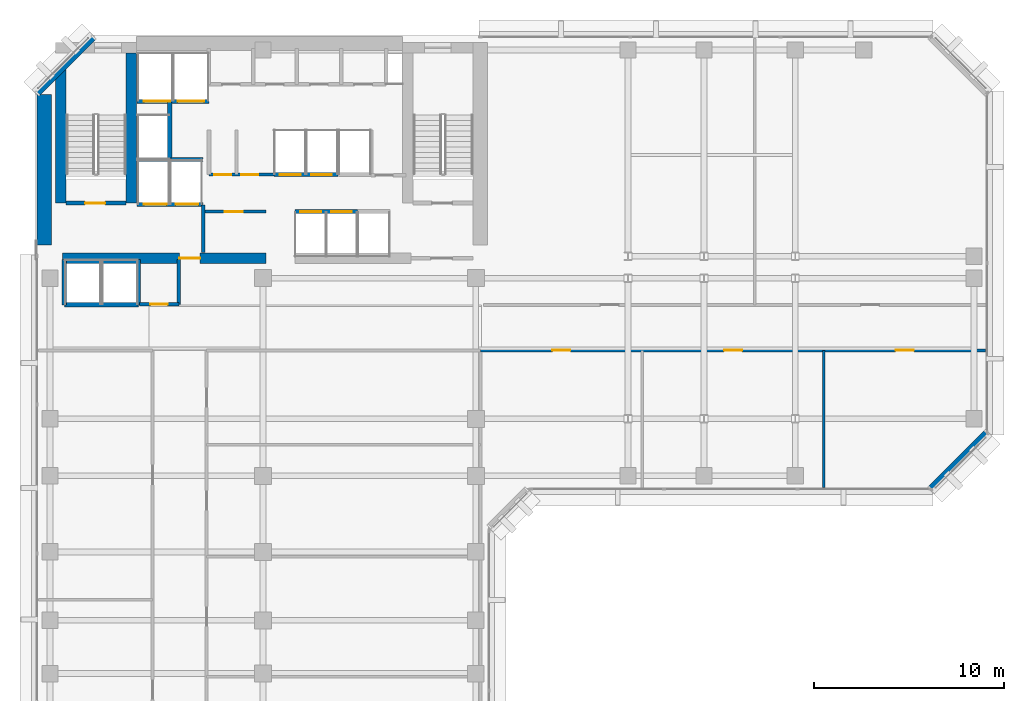
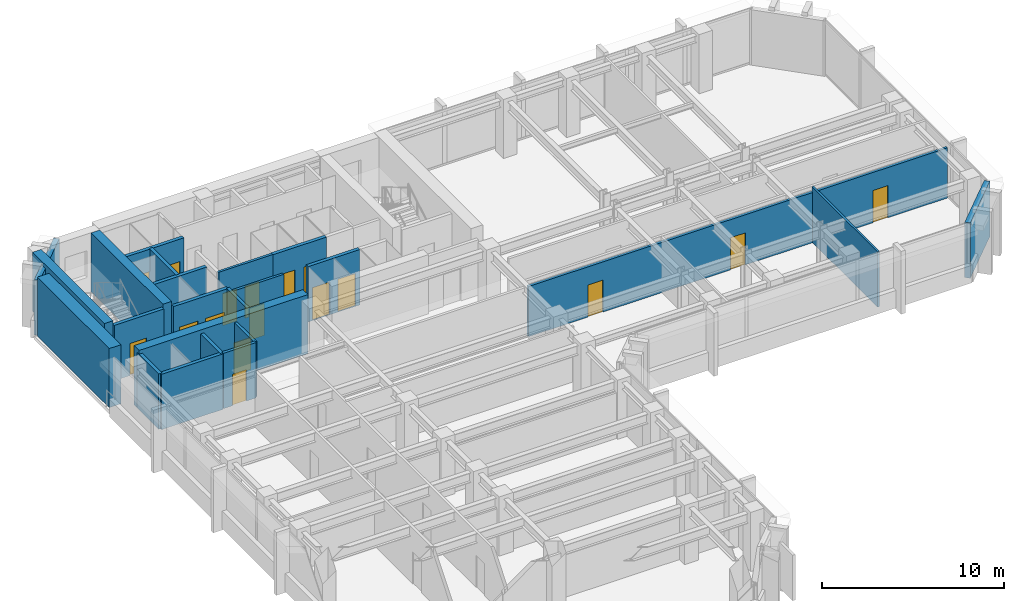
# One storey, part 7 of 11: 23 walls, 17 doors, 17 openings.
"""IFC4 building model written with IfcOpenShell, lengths in metres."""

from ifc_helpers import new_model, si_unit, direction, frame, frame_2d, origin, place, context, subcontext, project, spatial, rectangle, extrude, material, layer, layer_set, type_object, element, fill, save


model = new_model("IFC4")

# Units and contexts
model_context = context("Model", 3, precision=1e-05, world=origin(), true_north=direction((0.0, 1.0)))
body_context = subcontext(model_context, "Body", "Model", "MODEL_VIEW")
ifc_project = project(units=[si_unit("LENGTHUNIT", "METRE"), si_unit("AREAUNIT", "SQUARE_METRE"), si_unit("VOLUMEUNIT", "CUBIC_METRE"), si_unit("PLANEANGLEUNIT", "RADIAN"), si_unit("MASSUNIT", "GRAM", prefix="KILO")], contexts=[model_context])

# Site, building, storey
site_placement = place(None, origin())
site = spatial("IfcSite", under=ifc_project, at=site_placement, CompositionType="ELEMENT")
building_placement = place(site_placement, origin())
building = spatial("IfcBuilding", under=site, at=building_placement, Name="Kefirva Bronze Tower", CompositionType="ELEMENT")
storey_placement = place(building_placement, frame((0.0, 0.0, 150.81005859375)))
storey = spatial("IfcBuildingStorey", under=building, at=storey_placement, Name="L36", CompositionType="ELEMENT", Elevation=150.81005859375)

# Wall
ifc_material_1 = material(Name="Gypsum acoustic partition")
ifc_layer_1 = layer(ifc_material_1, 0.1298828125, Name="Gypsum acoustic partition")
ifc_layer_set_1 = layer_set([ifc_layer_1], Name="Gypsum acoustic partition")
wall_type_1 = type_object("IfcWallType", Name="Acoustic Office Partition 130mm", PredefinedType="PARTITIONING", material=ifc_layer_set_1)
wall_1_placement = place(storey_placement, frame((41.5107421875, 22.18994140625, 0.0), z_axis=(0.0, 0.0, 1.0), x_axis=(0.0, 1.0, 0.0)))
element("IfcWall", 1, at=wall_1_placement, inside=storey, type_object=wall_type_1, Name="L36 Partition W-L36-ESD2", PredefinedType="PARTITIONING", context=body_context, shape_type="SweptSolid", body=[
    extrude(rectangle(XDim=7.2099609375, YDim=0.1298828125, at=frame_2d((3.60498046875, 0.0))), origin(), (0.0, 0.0, 1.0), 3.7099609375),
])

# Wall, opening, door
ifc_material_2 = material(Name="Gypsum fireboard shaftwall")
ifc_layer_2 = layer(ifc_material_2, 0.219970703125, Name="Gypsum fireboard shaftwall")
ifc_layer_set_2 = layer_set([ifc_layer_2], Name="Gypsum fireboard shaftwall")
wall_type_2 = type_object("IfcWallType", Name="Fire-Rated Shaft Enclosure Wall 220mm", PredefinedType="PARTITIONING", material=ifc_layer_set_2)
wall_2_placement = place(storey_placement, frame((1.64990234375, 37.14990234375, 0.0), z_axis=(0.0, 0.0, 1.0), x_axis=(1.0, 0.0, 0.0)))
wall_2 = element("IfcWall", 2, at=wall_2_placement, inside=storey, type_object=wall_type_2, Name="L36 Partition W-L36-ST1S", PredefinedType="PARTITIONING", context=body_context, shape_type="SweptSolid", body=[
    extrude(rectangle(XDim=3.150146484375, YDim=0.219970703125, at=frame_2d((1.5751953125, 0.0))), origin(), (0.0, 0.0, 1.0), 3.7099609375),
])
opening_1_placement = place(wall_2_placement, frame((2.050048828125, 0.0, 0.0), z_axis=(0.0, 0.0, 1.0), x_axis=(-1.0, 0.0, 0.0)))
opening_1 = element("IfcOpeningElement", 3, at=opening_1_placement, cuts=wall_2, Name="Opening L36-D001", PredefinedType="OPENING", context=body_context, shape_type="SweptSolid", body=[
    extrude(rectangle(XDim=1.050048828125, YDim=2.14990234375, at=frame_2d((0.52490234375, 1.074951171875))), frame((0.0, 0.1201171875, 0.0), z_axis=(0.0, -1.0, 0.0), x_axis=(1.0, 0.0, 0.0)), (0.0, 0.0, 1.0), 0.239990234375),
])
ifc_material_3 = material(Name="Painted galvanized steel", Category="steel")
door_type_1 = type_object("IfcDoorType", Name="Fire Stair Enclosure Door 1050x2150 FD90S", OperationType="NOTDEFINED", PredefinedType="DOOR", material=ifc_material_3)
door_1_placement = place(opening_1_placement, origin())
door_1 = element("IfcDoor", 4, at=door_1_placement, inside=storey, type_object=door_type_1, Name="Door L36-D001", OperationType="SINGLE_SWING_RIGHT", OverallHeight=2.14990234375, OverallWidth=1.050048828125, PredefinedType="DOOR", context=body_context, shape_type="SweptSolid", body=[
    extrude(rectangle(XDim=1.050048828125, YDim=2.14990234375, at=frame_2d((0.52490234375, 1.074951171875))), frame((0.0, 0.02490234375, 0.0), z_axis=(0.0, -1.0, 0.0), x_axis=(1.0, 0.0, 0.0)), (0.0, 0.0, 1.0), 0.050048828125),
])
fill(opening_1, door_1)

# Wall, openings, doors
wall_3_placement = place(storey_placement, frame((5.3798828125, 37.080078125, 0.0), z_axis=(0.0, 0.0, 1.0), x_axis=(1.0, 0.0, 0.0)))
wall_3 = element("IfcWall", 5, at=wall_3_placement, inside=storey, type_object=wall_type_2, Name="L36 Partition W-L36-FFS", PredefinedType="PARTITIONING", context=body_context, shape_type="SweptSolid", body=[
    extrude(rectangle(XDim=3.460205078125, YDim=0.219970703125, at=frame_2d((1.72998046875, 0.0))), origin(), (0.0, 0.0, 1.0), 3.7099609375),
])
opening_2_placement = place(wall_3_placement, frame((1.550048828125, 0.0, 0.0), z_axis=(0.0, 0.0, 1.0), x_axis=(-1.0, 0.0, 0.0)))
opening_2 = element("IfcOpeningElement", 6, at=opening_2_placement, cuts=wall_3, Name="Opening L36-LD-FF1", PredefinedType="OPENING", context=body_context, shape_type="SweptSolid", body=[
    extrude(rectangle(XDim=1.199951171875, YDim=2.199951171875, at=frame_2d((0.60009765625, 1.10009765625))), frame((0.0, 0.1201171875, 0.0), z_axis=(0.0, -1.0, 0.0), x_axis=(1.0, 0.0, 0.0)), (0.0, 0.0, 1.0), 0.239990234375),
])
opening_3_placement = place(wall_3_placement, frame((3.219970703125, 0.0, 0.0), z_axis=(0.0, 0.0, 1.0), x_axis=(-1.0, 0.0, 0.0)))
opening_3 = element("IfcOpeningElement", 7, at=opening_3_placement, cuts=wall_3, Name="Opening L36-LD-FF2", PredefinedType="OPENING", context=body_context, shape_type="SweptSolid", body=[
    extrude(rectangle(XDim=1.199951171875, YDim=2.199951171875, at=frame_2d((0.60009765625, 1.10009765625))), frame((0.0, 0.1201171875, 0.0), z_axis=(0.0, -1.0, 0.0), x_axis=(1.0, 0.0, 0.0)), (0.0, 0.0, 1.0), 0.239990234375),
])
ifc_material_4 = material(Name="Stainless steel 316", Category="steel")
door_type_2 = type_object("IfcDoorType", Name="Firefighting Lift Sliding Door 1200x2200", OperationType="SLIDING_TO_RIGHT", PredefinedType="DOOR", material=ifc_material_4)
door_2_placement = place(opening_2_placement, origin())
door_2 = element("IfcDoor", 8, at=door_2_placement, inside=storey, type_object=door_type_2, Name="Door L36-LD-FF1", OperationType="SLIDING_TO_RIGHT", OverallHeight=2.199951171875, OverallWidth=1.199951171875, PredefinedType="DOOR", context=body_context, shape_type="SweptSolid", body=[
    extrude(rectangle(XDim=1.199951171875, YDim=2.199951171875, at=frame_2d((0.60009765625, 1.10009765625))), frame((0.0, 0.02490234375, 0.0), z_axis=(0.0, -1.0, 0.0), x_axis=(1.0, 0.0, 0.0)), (0.0, 0.0, 1.0), 0.050048828125),
])
fill(opening_2, door_2)
door_3_placement = place(opening_3_placement, origin())
door_3 = element("IfcDoor", 9, at=door_3_placement, inside=storey, type_object=door_type_2, Name="Door L36-LD-FF2", OperationType="SLIDING_TO_RIGHT", OverallHeight=2.199951171875, OverallWidth=1.199951171875, PredefinedType="DOOR", context=body_context, shape_type="SweptSolid", body=[
    extrude(rectangle(XDim=1.199951171875, YDim=2.199951171875, at=frame_2d((0.60009765625, 1.10009765625))), frame((0.0, 0.02490234375, 0.0), z_axis=(0.0, -1.0, 0.0), x_axis=(1.0, 0.0, 0.0)), (0.0, 0.0, 1.0), 0.050048828125),
])
fill(opening_3, door_3)

# Wall
wall_4_placement = place(storey_placement, frame((5.3798828125, 39.449951171875, 0.0), z_axis=(0.0, 0.0, 1.0), x_axis=(1.0, 0.0, 0.0)))
element("IfcWall", 10, at=wall_4_placement, inside=storey, type_object=wall_type_2, Name="L36 Partition W-L36-FFN", PredefinedType="PARTITIONING", context=body_context, shape_type="SweptSolid", body=[
    extrude(rectangle(XDim=3.460205078125, YDim=0.219970703125, at=frame_2d((1.72998046875, 0.0))), origin(), (0.0, 0.0, 1.0), 3.7099609375),
])

# Wall, openings, doors
wall_5_placement = place(storey_placement, frame((5.3798828125, 42.5, 0.0), z_axis=(0.0, 0.0, 1.0), x_axis=(1.0, 0.0, 0.0)))
wall_5 = element("IfcWall", 11, at=wall_5_placement, inside=storey, type_object=wall_type_2, Name="L36 Partition W-L36-SVS", PredefinedType="PARTITIONING", context=body_context, shape_type="SweptSolid", body=[
    extrude(rectangle(XDim=3.77001953125, YDim=0.219970703125, at=frame_2d((1.885009765625, 0.0))), origin(), (0.0, 0.0, 1.0), 3.7099609375),
])
opening_4_placement = place(wall_5_placement, frame((1.75, 0.0, 0.0), z_axis=(0.0, 0.0, 1.0), x_axis=(-1.0, 0.0, 0.0)))
opening_4 = element("IfcOpeningElement", 12, at=opening_4_placement, cuts=wall_5, Name="Opening L36-LD-SV1", PredefinedType="OPENING", context=body_context, shape_type="SweptSolid", body=[
    extrude(rectangle(XDim=1.39990234375, YDim=2.199951171875, at=frame_2d((0.699951171875, 1.10009765625))), frame((0.0, 0.1201171875, 0.0), z_axis=(0.0, -1.0, 0.0), x_axis=(1.0, 0.0, 0.0)), (0.0, 0.0, 1.0), 0.239990234375),
])
opening_5_placement = place(wall_5_placement, frame((3.52978515625, 0.0, 0.0), z_axis=(0.0, 0.0, 1.0), x_axis=(-1.0, 0.0, 0.0)))
opening_5 = element("IfcOpeningElement", 13, at=opening_5_placement, cuts=wall_5, Name="Opening L36-LD-SV2", PredefinedType="OPENING", context=body_context, shape_type="SweptSolid", body=[
    extrude(rectangle(XDim=1.39990234375, YDim=2.199951171875, at=frame_2d((0.699951171875, 1.10009765625))), frame((0.0, 0.1201171875, 0.0), z_axis=(0.0, -1.0, 0.0), x_axis=(1.0, 0.0, 0.0)), (0.0, 0.0, 1.0), 0.239990234375),
])
door_type_3 = type_object("IfcDoorType", Name="Goods Lift Bi-Parting Sliding Door 1400x2200", OperationType="SLIDING_TO_LEFT", PredefinedType="DOOR", material=ifc_material_4)
door_4_placement = place(opening_4_placement, origin())
door_4 = element("IfcDoor", 14, at=door_4_placement, inside=storey, type_object=door_type_3, Name="Door L36-LD-SV1", OperationType="SLIDING_TO_LEFT", OverallHeight=2.199951171875, OverallWidth=1.39990234375, PredefinedType="DOOR", context=body_context, shape_type="SweptSolid", body=[
    extrude(rectangle(XDim=1.39990234375, YDim=2.199951171875, at=frame_2d((0.699951171875, 1.10009765625))), frame((0.0, 0.02490234375, 0.0), z_axis=(0.0, -1.0, 0.0), x_axis=(1.0, 0.0, 0.0)), (0.0, 0.0, 1.0), 0.050048828125),
])
fill(opening_4, door_4)
door_5_placement = place(opening_5_placement, origin())
door_5 = element("IfcDoor", 15, at=door_5_placement, inside=storey, type_object=door_type_3, Name="Door L36-LD-SV2", OperationType="SLIDING_TO_LEFT", OverallHeight=2.199951171875, OverallWidth=1.39990234375, PredefinedType="DOOR", context=body_context, shape_type="SweptSolid", body=[
    extrude(rectangle(XDim=1.39990234375, YDim=2.199951171875, at=frame_2d((0.699951171875, 1.10009765625))), frame((0.0, 0.02490234375, 0.0), z_axis=(0.0, -1.0, 0.0), x_axis=(1.0, 0.0, 0.0)), (0.0, 0.0, 1.0), 0.050048828125),
])
fill(opening_5, door_5)

# Walls
wall_6_placement = place(storey_placement, frame((7.10009765625, 39.52001953125, 0.0), z_axis=(0.0, 0.0, 1.0), x_axis=(0.0, 1.0, 0.0)))
element("IfcWall", 16, at=wall_6_placement, inside=storey, type_object=wall_type_2, Name="L36 Partition W-L36-HP3E", PredefinedType="PARTITIONING", context=body_context, shape_type="SweptSolid", body=[
    extrude(rectangle(XDim=2.929931640625, YDim=0.219970703125, at=frame_2d((1.46484375, 0.0))), origin(), (0.0, 0.0, 1.0), 3.7099609375),
])
wall_7_placement = place(storey_placement, frame((1.550048828125, 31.800048828125, 0.0), z_axis=(0.0, 0.0, 1.0), x_axis=(1.0, 0.0, 0.0)))
element("IfcWall", 17, at=wall_7_placement, inside=storey, type_object=wall_type_2, Name="L36 Partition W-L36-OBS", PredefinedType="PARTITIONING", context=body_context, shape_type="SweptSolid", body=[
    extrude(rectangle(XDim=3.89990234375, YDim=0.219970703125, at=frame_2d((1.949951171875, 0.0))), origin(), (0.0, 0.0, 1.0), 3.7099609375),
])
for number, where, z_axis, x_axis, name in (
    (18, (1.550048828125, 31.800048828125, 0.0), (0.0, 0.0, 1.0), (0.0, 1.0, 0.0), "L36 Partition W-L36-OBW"),
    (19, (5.449951171875, 31.800048828125, 0.0), (0.0, 0.0, 1.0), (0.0, 1.0, 0.0), "L36 Partition W-L36-OBE"),
):
    element("IfcWall", number, at=place(storey_placement, frame(where, z_axis=z_axis, x_axis=x_axis)), inside=storey, type_object=wall_type_2, Name=name, PredefinedType="PARTITIONING", context=body_context, shape_type="SweptSolid", body=[
        extrude(rectangle(XDim=2.3798828125, YDim=0.219970703125, at=frame_2d((1.18994140625, 0.0))), origin(), (0.0, 0.0, 1.0), 3.7099609375),
    ])

# Wall, openings, doors
wall_8_placement = place(storey_placement, frame((13.679931640625, 36.699951171875, 0.0), z_axis=(0.0, 0.0, 1.0), x_axis=(1.0, 0.0, 0.0)))
wall_8 = element("IfcWall", 20, at=wall_8_placement, inside=storey, type_object=wall_type_2, Name="L36 Partition W-L36-MPS", PredefinedType="PARTITIONING", context=body_context, shape_type="SweptSolid", body=[
    extrude(rectangle(XDim=3.280029296875, YDim=0.219970703125, at=frame_2d((1.64013671875, 0.0))), origin(), (0.0, 0.0, 1.0), 3.7099609375),
])
opening_6_placement = place(wall_8_placement, frame((0.280029296875, 0.0, 0.0)))
opening_6 = element("IfcOpeningElement", 21, at=opening_6_placement, cuts=wall_8, Name="Opening L36-LD-MP1", PredefinedType="OPENING", context=body_context, shape_type="SweptSolid", body=[
    extrude(rectangle(XDim=1.10009765625, YDim=2.199951171875, at=frame_2d((0.550048828125, 1.10009765625))), frame((0.0, 0.1201171875, 0.0), z_axis=(0.0, -1.0, 0.0), x_axis=(1.0, 0.0, 0.0)), (0.0, 0.0, 1.0), 0.239990234375),
])
opening_7_placement = place(wall_8_placement, frame((1.89990234375, 0.0, 0.0)))
opening_7 = element("IfcOpeningElement", 22, at=opening_7_placement, cuts=wall_8, Name="Opening L36-LD-MP2", PredefinedType="OPENING", context=body_context, shape_type="SweptSolid", body=[
    extrude(rectangle(XDim=1.10009765625, YDim=2.199951171875, at=frame_2d((0.550048828125, 1.10009765625))), frame((0.0, 0.1201171875, 0.0), z_axis=(0.0, -1.0, 0.0), x_axis=(1.0, 0.0, 0.0)), (0.0, 0.0, 1.0), 0.239990234375),
])
door_type_4 = type_object("IfcDoorType", Name="Passenger Lift Sliding Landing Door 1100x2200", OperationType="SLIDING_TO_LEFT", PredefinedType="DOOR", material=ifc_material_4)
door_6_placement = place(opening_6_placement, origin())
door_6 = element("IfcDoor", 23, at=door_6_placement, inside=storey, type_object=door_type_4, Name="Door L36-LD-MP1", OperationType="SLIDING_TO_RIGHT", OverallHeight=2.199951171875, OverallWidth=1.10009765625, PredefinedType="DOOR", context=body_context, shape_type="SweptSolid", body=[
    extrude(rectangle(XDim=1.10009765625, YDim=2.199951171875, at=frame_2d((0.550048828125, 1.10009765625))), frame((0.0, 0.02490234375, 0.0), z_axis=(0.0, -1.0, 0.0), x_axis=(1.0, 0.0, 0.0)), (0.0, 0.0, 1.0), 0.050048828125),
])
fill(opening_6, door_6)
door_7_placement = place(opening_7_placement, origin())
door_7 = element("IfcDoor", 24, at=door_7_placement, inside=storey, type_object=door_type_4, Name="Door L36-LD-MP2", OperationType="SLIDING_TO_RIGHT", OverallHeight=2.199951171875, OverallWidth=1.10009765625, PredefinedType="DOOR", context=body_context, shape_type="SweptSolid", body=[
    extrude(rectangle(XDim=1.10009765625, YDim=2.199951171875, at=frame_2d((0.550048828125, 1.10009765625))), frame((0.0, 0.02490234375, 0.0), z_axis=(0.0, -1.0, 0.0), x_axis=(1.0, 0.0, 0.0)), (0.0, 0.0, 1.0), 0.050048828125),
])
fill(opening_7, door_7)

wall_9_placement = place(storey_placement, frame((12.580078125, 38.64990234375, 0.0), z_axis=(0.0, 0.0, 1.0), x_axis=(1.0, 0.0, 0.0)))
wall_9 = element("IfcWall", 25, at=wall_9_placement, inside=storey, type_object=wall_type_2, Name="L36 Partition W-L36-MPN", PredefinedType="PARTITIONING", context=body_context, shape_type="SweptSolid", body=[
    extrude(rectangle(XDim=3.3798828125, YDim=0.219970703125, at=frame_2d((1.68994140625, 0.0))), origin(), (0.0, 0.0, 1.0), 3.7099609375),
])
opening_8_placement = place(wall_9_placement, frame((0.300048828125, 0.0, 0.0)))
opening_8 = element("IfcOpeningElement", 26, at=opening_8_placement, cuts=wall_9, Name="Opening L36-LD-MP3", PredefinedType="OPENING", context=body_context, shape_type="SweptSolid", body=[
    extrude(rectangle(XDim=1.10009765625, YDim=2.199951171875, at=frame_2d((0.550048828125, 1.10009765625))), frame((0.0, 0.1201171875, 0.0), z_axis=(0.0, -1.0, 0.0), x_axis=(1.0, 0.0, 0.0)), (0.0, 0.0, 1.0), 0.239990234375),
])
opening_9_placement = place(wall_9_placement, frame((1.949951171875, 0.0, 0.0)))
opening_9 = element("IfcOpeningElement", 27, at=opening_9_placement, cuts=wall_9, Name="Opening L36-LD-MP4", PredefinedType="OPENING", context=body_context, shape_type="SweptSolid", body=[
    extrude(rectangle(XDim=1.10009765625, YDim=2.199951171875, at=frame_2d((0.550048828125, 1.10009765625))), frame((0.0, 0.1201171875, 0.0), z_axis=(0.0, -1.0, 0.0), x_axis=(1.0, 0.0, 0.0)), (0.0, 0.0, 1.0), 0.239990234375),
])
door_8_placement = place(opening_8_placement, origin())
door_8 = element("IfcDoor", 28, at=door_8_placement, inside=storey, type_object=door_type_4, Name="Door L36-LD-MP3", OperationType="SLIDING_TO_RIGHT", OverallHeight=2.199951171875, OverallWidth=1.10009765625, PredefinedType="DOOR", context=body_context, shape_type="SweptSolid", body=[
    extrude(rectangle(XDim=1.10009765625, YDim=2.199951171875, at=frame_2d((0.550048828125, 1.10009765625))), frame((0.0, 0.02490234375, 0.0), z_axis=(0.0, -1.0, 0.0), x_axis=(1.0, 0.0, 0.0)), (0.0, 0.0, 1.0), 0.050048828125),
])
fill(opening_8, door_8)
door_9_placement = place(opening_9_placement, origin())
door_9 = element("IfcDoor", 29, at=door_9_placement, inside=storey, type_object=door_type_4, Name="Door L36-LD-MP4", OperationType="SLIDING_TO_RIGHT", OverallHeight=2.199951171875, OverallWidth=1.10009765625, PredefinedType="DOOR", context=body_context, shape_type="SweptSolid", body=[
    extrude(rectangle(XDim=1.10009765625, YDim=2.199951171875, at=frame_2d((0.550048828125, 1.10009765625))), frame((0.0, 0.02490234375, 0.0), z_axis=(0.0, -1.0, 0.0), x_axis=(1.0, 0.0, 0.0)), (0.0, 0.0, 1.0), 0.050048828125),
])
fill(opening_9, door_9)

# Walls
ifc_material_5 = material(Name="Gypsum fireboard barrier")
ifc_layer_3 = layer(ifc_material_5, 0.199951171875, Name="Gypsum fireboard barrier")
ifc_layer_set_3 = layer_set([ifc_layer_3], Name="Gypsum fireboard barrier")
wall_type_3 = type_object("IfcWallType", Name="Firefighting Lobby Barrier Wall 200mm", PredefinedType="PARTITIONING", material=ifc_layer_set_3)
wall_10_placement = place(storey_placement, frame((8.860107421875, 34.550048828125, 0.0), z_axis=(0.0, 0.0, 1.0), x_axis=(0.0, 1.0, 0.0)))
element("IfcWall", 30, at=wall_10_placement, inside=storey, type_object=wall_type_3, Name="L36 Partition W-L36-FFLE", PredefinedType="PARTITIONING", context=body_context, shape_type="SweptSolid", body=[
    extrude(rectangle(XDim=2.5, YDim=0.199951171875, at=frame_2d((1.25, 0.0))), origin(), (0.0, 0.0, 1.0), 3.7099609375),
])
ifc_material_6 = material(Name="Precast concrete C40/50", Category="concrete")
ifc_layer_4 = layer(ifc_material_6, 0.320068359375, Name="Precast concrete C40/50")
ifc_layer_set_4 = layer_set([ifc_layer_4], Name="Precast concrete C40/50")
wall_type_4 = type_object("IfcWallType", Name="Precast Insulated Exterior Wall 320mm", PredefinedType="SOLIDWALL", material=ifc_layer_set_4)
for number, where, z_axis, x_axis, name in (
    (31, (47.125732421875, 22.152099609375, 0.0), (0.0, 0.0, 1.0), (0.707136318428, 0.707077242712, 0.0), "L36 Exterior Facade Wall 3"),
    (32, (3.07421875, 45.847900390625, 0.0), (0.0, 0.0, 1.0), (-0.707106781187, -0.707106781187, 0.0), "L36 Exterior Facade Wall 5"),
):
    element("IfcWall", number, at=place(storey_placement, frame(where, z_axis=z_axis, x_axis=x_axis)), inside=storey, type_object=wall_type_4, Name=name, PredefinedType="SOLIDWALL", context=body_context, shape_type="SweptSolid", body=[
        extrude(rectangle(XDim=4.132568359375, YDim=0.320068359375, at=frame_2d((2.06640625, 0.0))), origin(), (0.0, 0.0, 1.0), 3.7099609375),
    ])

# Wall, opening, door
ifc_layer_5 = layer(ifc_material_1, 0.159912109375, Name="Gypsum acoustic partition")
ifc_layer_set_5 = layer_set([ifc_layer_5], Name="Gypsum acoustic partition")
wall_type_5 = type_object("IfcWallType", Name="Protected Corridor Partition 160mm", PredefinedType="PARTITIONING", material=ifc_layer_set_5)
wall_11_placement = place(storey_placement, frame((8.89990234375, 36.699951171875, 0.0), z_axis=(0.0, 0.0, 1.0), x_axis=(1.0, 0.0, 0.0)))
wall_11 = element("IfcWall", 33, at=wall_11_placement, inside=storey, type_object=wall_type_5, Name="L36 Partition W-L36-RECLP1", PredefinedType="PARTITIONING", context=body_context, shape_type="SweptSolid", body=[
    extrude(rectangle(XDim=3.25, YDim=0.159912109375, at=frame_2d((1.625, 0.0))), origin(), (0.0, 0.0, 1.0), 3.7099609375),
])
opening_10_placement = place(wall_11_placement, frame((1.10009765625, 0.0, 0.0)))
opening_10 = element("IfcOpeningElement", 34, at=opening_10_placement, cuts=wall_11, Name="Opening L36-D-RECLP1", PredefinedType="OPENING", context=body_context, shape_type="SweptSolid", body=[
    extrude(rectangle(XDim=0.949951171875, YDim=2.14990234375, at=frame_2d((0.47509765625, 1.074951171875))), frame((0.0, 0.08984375, 0.0), z_axis=(0.0, -1.0, 0.0), x_axis=(1.0, 0.0, 0.0)), (0.0, 0.0, 1.0), 0.179931640625),
])
ifc_material_7 = material(Name="Acoustic hardwood oak", Category="wood")
door_type_5 = type_object("IfcDoorType", Name="Office & Meeting Room Door 950x2150", OperationType="NOTDEFINED", PredefinedType="DOOR", material=ifc_material_7)
door_10_placement = place(opening_10_placement, origin())
door_10 = element("IfcDoor", 35, at=door_10_placement, inside=storey, type_object=door_type_5, Name="Door L36-D-RECLP1", OperationType="SINGLE_SWING_RIGHT", OverallHeight=2.14990234375, OverallWidth=0.949951171875, PredefinedType="DOOR", context=body_context, shape_type="SweptSolid", body=[
    extrude(rectangle(XDim=0.949951171875, YDim=2.14990234375, at=frame_2d((0.47509765625, 1.074951171875))), frame((0.0, 0.02490234375, 0.0), z_axis=(0.0, -1.0, 0.0), x_axis=(1.0, 0.0, 0.0)), (0.0, 0.0, 1.0), 0.050048828125),
])
fill(opening_10, door_10)

# Wall, openings, doors
wall_12_placement = place(storey_placement, frame((9.159912109375, 38.64990234375, 0.0), z_axis=(0.0, 0.0, 1.0), x_axis=(1.0, 0.0, 0.0)))
wall_12 = element("IfcWall", 36, at=wall_12_placement, inside=storey, type_object=wall_type_5, Name="L36 Partition W-L36-RECLP2", PredefinedType="PARTITIONING", context=body_context, shape_type="SweptSolid", body=[
    extrude(rectangle(XDim=3.420166015625, YDim=0.159912109375, at=frame_2d((1.7099609375, 0.0))), origin(), (0.0, 0.0, 1.0), 3.7099609375),
])
opening_11_placement = place(wall_12_placement, frame((1.179931640625, 0.0, 0.0), z_axis=(0.0, 0.0, 1.0), x_axis=(-1.0, 0.0, 0.0)))
opening_11 = element("IfcOpeningElement", 37, at=opening_11_placement, cuts=wall_12, Name="Opening L36-D-RECLP2A", PredefinedType="OPENING", context=body_context, shape_type="SweptSolid", body=[
    extrude(rectangle(XDim=0.89990234375, YDim=2.14990234375, at=frame_2d((0.449951171875, 1.074951171875))), frame((0.0, 0.08984375, 0.0), z_axis=(0.0, -1.0, 0.0), x_axis=(1.0, 0.0, 0.0)), (0.0, 0.0, 1.0), 0.179931640625),
])
opening_12_placement = place(wall_12_placement, frame((2.599853515625, 0.0, 0.0), z_axis=(0.0, 0.0, 1.0), x_axis=(-1.0, 0.0, 0.0)))
opening_12 = element("IfcOpeningElement", 38, at=opening_12_placement, cuts=wall_12, Name="Opening L36-D-RECLP2B", PredefinedType="OPENING", context=body_context, shape_type="SweptSolid", body=[
    extrude(rectangle(XDim=0.89990234375, YDim=2.14990234375, at=frame_2d((0.449951171875, 1.074951171875))), frame((0.0, 0.08984375, 0.0), z_axis=(0.0, -1.0, 0.0), x_axis=(1.0, 0.0, 0.0)), (0.0, 0.0, 1.0), 0.179931640625),
])
door_type_6 = type_object("IfcDoorType", Name="Core Archive & Server Fire Door 900x2150 FD60S", OperationType="NOTDEFINED", PredefinedType="DOOR", material=ifc_material_3)
door_11_placement = place(opening_11_placement, origin())
door_11 = element("IfcDoor", 39, at=door_11_placement, inside=storey, type_object=door_type_6, Name="Door L36-D-RECLP2A", OperationType="SINGLE_SWING_LEFT", OverallHeight=2.14990234375, OverallWidth=0.89990234375, PredefinedType="DOOR", context=body_context, shape_type="SweptSolid", body=[
    extrude(rectangle(XDim=0.89990234375, YDim=2.14990234375, at=frame_2d((0.449951171875, 1.074951171875))), frame((0.0, 0.02490234375, 0.0), z_axis=(0.0, -1.0, 0.0), x_axis=(1.0, 0.0, 0.0)), (0.0, 0.0, 1.0), 0.050048828125),
])
fill(opening_11, door_11)
door_12_placement = place(opening_12_placement, origin())
door_12 = element("IfcDoor", 40, at=door_12_placement, inside=storey, type_object=door_type_6, Name="Door L36-D-RECLP2B", OperationType="SINGLE_SWING_RIGHT", OverallHeight=2.14990234375, OverallWidth=0.89990234375, PredefinedType="DOOR", context=body_context, shape_type="SweptSolid", body=[
    extrude(rectangle(XDim=0.89990234375, YDim=2.14990234375, at=frame_2d((0.449951171875, 1.074951171875))), frame((0.0, 0.02490234375, 0.0), z_axis=(0.0, -1.0, 0.0), x_axis=(1.0, 0.0, 0.0)), (0.0, 0.0, 1.0), 0.050048828125),
])
fill(opening_12, door_12)

wall_13_placement = place(storey_placement, frame((23.449951171875, 29.39990234375, 0.0), z_axis=(0.0, 0.0, 1.0), x_axis=(1.0, 0.0, 0.0)))
wall_13 = element("IfcWall", 41, at=wall_13_placement, inside=storey, type_object=wall_type_5, Name="L36 Partition W-L36-EWS", PredefinedType="PARTITIONING", context=body_context, shape_type="SweptSolid", body=[
    extrude(rectangle(XDim=26.56005859375, YDim=0.159912109375, at=frame_2d((13.280029296875, 0.0))), origin(), (0.0, 0.0, 1.0), 3.364990234375),
])
opening_13_placement = place(wall_13_placement, frame((4.724609375, 0.0, 0.0), z_axis=(0.0, 0.0, 1.0), x_axis=(-1.0, 0.0, 0.0)))
opening_13 = element("IfcOpeningElement", 42, at=opening_13_placement, cuts=wall_13, Name="Opening L36-D-ES1", PredefinedType="OPENING", context=body_context, shape_type="SweptSolid", body=[
    extrude(rectangle(XDim=0.949951171875, YDim=2.14990234375, at=frame_2d((0.47509765625, 1.074951171875))), frame((0.0, 0.08984375, 0.0), z_axis=(0.0, -1.0, 0.0), x_axis=(1.0, 0.0, 0.0)), (0.0, 0.0, 1.0), 0.179931640625),
])
opening_14_placement = place(wall_13_placement, frame((13.7548828125, 0.0, 0.0), z_axis=(0.0, 0.0, 1.0), x_axis=(-1.0, 0.0, 0.0)))
opening_14 = element("IfcOpeningElement", 43, at=opening_14_placement, cuts=wall_13, Name="Opening L36-D-ES2", PredefinedType="OPENING", context=body_context, shape_type="SweptSolid", body=[
    extrude(rectangle(XDim=0.949951171875, YDim=2.14990234375, at=frame_2d((0.47509765625, 1.074951171875))), frame((0.0, 0.08984375, 0.0), z_axis=(0.0, -1.0, 0.0), x_axis=(1.0, 0.0, 0.0)), (0.0, 0.0, 1.0), 0.179931640625),
])
opening_15_placement = place(wall_13_placement, frame((22.785400390625, 0.0, 0.0), z_axis=(0.0, 0.0, 1.0), x_axis=(-1.0, 0.0, 0.0)))
opening_15 = element("IfcOpeningElement", 44, at=opening_15_placement, cuts=wall_13, Name="Opening L36-D-ES3", PredefinedType="OPENING", context=body_context, shape_type="SweptSolid", body=[
    extrude(rectangle(XDim=0.949951171875, YDim=2.14990234375, at=frame_2d((0.47509765625, 1.074951171875))), frame((0.0, 0.08984375, 0.0), z_axis=(0.0, -1.0, 0.0), x_axis=(1.0, 0.0, 0.0)), (0.0, 0.0, 1.0), 0.179931640625),
])
door_13_placement = place(opening_13_placement, origin())
door_13 = element("IfcDoor", 45, at=door_13_placement, inside=storey, type_object=door_type_5, Name="Door L36-D-ES1", OperationType="SINGLE_SWING_LEFT", OverallHeight=2.14990234375, OverallWidth=0.949951171875, PredefinedType="DOOR", context=body_context, shape_type="SweptSolid", body=[
    extrude(rectangle(XDim=0.949951171875, YDim=2.14990234375, at=frame_2d((0.47509765625, 1.074951171875))), frame((0.0, 0.02490234375, 0.0), z_axis=(0.0, -1.0, 0.0), x_axis=(1.0, 0.0, 0.0)), (0.0, 0.0, 1.0), 0.050048828125),
])
fill(opening_13, door_13)
door_14_placement = place(opening_14_placement, origin())
door_14 = element("IfcDoor", 46, at=door_14_placement, inside=storey, type_object=door_type_5, Name="Door L36-D-ES2", OperationType="SINGLE_SWING_RIGHT", OverallHeight=2.14990234375, OverallWidth=0.949951171875, PredefinedType="DOOR", context=body_context, shape_type="SweptSolid", body=[
    extrude(rectangle(XDim=0.949951171875, YDim=2.14990234375, at=frame_2d((0.47509765625, 1.074951171875))), frame((0.0, 0.02490234375, 0.0), z_axis=(0.0, -1.0, 0.0), x_axis=(1.0, 0.0, 0.0)), (0.0, 0.0, 1.0), 0.050048828125),
])
fill(opening_14, door_14)
door_15_placement = place(opening_15_placement, origin())
door_15 = element("IfcDoor", 47, at=door_15_placement, inside=storey, type_object=door_type_5, Name="Door L36-D-ES3", OperationType="SINGLE_SWING_LEFT", OverallHeight=2.14990234375, OverallWidth=0.949951171875, PredefinedType="DOOR", context=body_context, shape_type="SweptSolid", body=[
    extrude(rectangle(XDim=0.949951171875, YDim=2.14990234375, at=frame_2d((0.47509765625, 1.074951171875))), frame((0.0, 0.02490234375, 0.0), z_axis=(0.0, -1.0, 0.0), x_axis=(1.0, 0.0, 0.0)), (0.0, 0.0, 1.0), 0.050048828125),
])
fill(opening_15, door_15)

# Walls
ifc_material_8 = material(Name="Concrete C60/75", Category="concrete")
ifc_layer_6 = layer(ifc_material_8, 0.75, Name="Concrete C60/75")
ifc_layer_set_6 = layer_set([ifc_layer_6], Name="Concrete C60/75")
wall_type_6 = type_object("IfcWallType", Name="RC Rear Core Exterior Wall 750mm", PredefinedType="SHEAR", material=ifc_layer_set_6)
wall_14_placement = place(storey_placement, frame((0.5, 34.949951171875, 0.0), z_axis=(0.0, 0.0, 1.0), x_axis=(0.0, 1.0, 0.0)))
element("IfcWall", 48, at=wall_14_placement, inside=storey, type_object=wall_type_6, Name="L36 Rear Core West Shear Wall", PredefinedType="SHEAR", context=body_context, shape_type="SweptSolid", body=[
    extrude(rectangle(XDim=7.900146484375, YDim=0.75, at=frame_2d((3.9501953125, 0.0))), origin(), (0.0, 0.0, 1.0), 3.9599609375),
])
ifc_material_9 = material(Name="Concrete C50/60", Category="concrete")
ifc_layer_7 = layer(ifc_material_9, 0.550048828125, Name="Concrete C50/60")
ifc_layer_set_7 = layer_set([ifc_layer_7], Name="Concrete C50/60")
wall_type_7 = type_object("IfcWallType", Name="RC Rear Core Interior Wall 550mm", PredefinedType="SHEAR", material=ifc_layer_set_7)
for number, where, z_axis, x_axis, name in (
    (49, (1.3701171875, 37.14990234375, 0.0), (0.0, 0.0, 1.0), (0.0, 1.0, 0.0), "L36 Stair 1 West Shear Wall"),
    (50, (5.070068359375, 37.14990234375, 0.0), (0.0, 0.0, 1.0), (0.0, 1.0, 0.0), "L36 Stair 1 East Shear Wall"),
):
    element("IfcWall", number, at=place(storey_placement, frame(where, z_axis=z_axis, x_axis=x_axis)), inside=storey, type_object=wall_type_7, Name=name, PredefinedType="SHEAR", context=body_context, shape_type="SweptSolid", body=[
        extrude(rectangle(XDim=7.89013671875, YDim=0.550048828125, at=frame_2d((3.945068359375, 0.0))), origin(), (0.0, 0.0, 1.0), 3.9599609375),
    ])

# Wall, opening, door
ifc_layer_8 = layer(ifc_material_8, 0.75, Name="Concrete C60/75")
ifc_layer_set_8 = layer_set([ifc_layer_8], Name="Concrete C60/75")
wall_type_8 = type_object("IfcWallType", Name="RC Rear Core Interior Wall 750mm", PredefinedType="SHEAR", material=ifc_layer_set_8)
wall_15_placement = place(storey_placement, frame((1.449951171875, 34.25, 0.0), z_axis=(0.0, 0.0, 1.0), x_axis=(1.0, 0.0, 0.0)))
wall_15 = element("IfcWall", 51, at=wall_15_placement, inside=storey, type_object=wall_type_8, Name="L36 Rear Core South-West Shear Wall", PredefinedType="SHEAR", context=body_context, shape_type="SweptSolid", body=[
    extrude(rectangle(XDim=10.7099609375, YDim=0.550048828125, at=frame_2d((5.35498046875, 0.0))), origin(), (0.0, 0.0, 1.0), 3.9599609375),
])
opening_16_placement = place(wall_15_placement, frame((7.25, 0.0, 0.0), z_axis=(0.0, 0.0, 1.0), x_axis=(-1.0, 0.0, 0.0)))
opening_16 = element("IfcOpeningElement", 52, at=opening_16_placement, cuts=wall_15, Name="Opening L36-D002", PredefinedType="OPENING", context=body_context, shape_type="SweptSolid", body=[
    extrude(rectangle(XDim=1.10009765625, YDim=2.14990234375, at=frame_2d((0.550048828125, 1.074951171875))), frame((0.0, 0.28515625, 0.0), z_axis=(0.0, -1.0, 0.0), x_axis=(1.0, 0.0, 0.0)), (0.0, 0.0, 1.0), 0.570068359375),
])
door_type_7 = type_object("IfcDoorType", Name="Firefighting Lobby Smoke Door 1100x2150 FD60S", OperationType="NOTDEFINED", PredefinedType="DOOR", material=ifc_material_3)
door_16_placement = place(opening_16_placement, origin())
door_16 = element("IfcDoor", 53, at=door_16_placement, inside=storey, type_object=door_type_7, Name="Door L36-D002", OperationType="SINGLE_SWING_LEFT", OverallHeight=2.14990234375, OverallWidth=1.10009765625, PredefinedType="DOOR", context=body_context, shape_type="SweptSolid", body=[
    extrude(rectangle(XDim=1.10009765625, YDim=2.14990234375, at=frame_2d((0.550048828125, 1.074951171875))), frame((0.0, 0.02490234375, 0.0), z_axis=(0.0, -1.0, 0.0), x_axis=(1.0, 0.0, 0.0)), (0.0, 0.0, 1.0), 0.050048828125),
])
fill(opening_16, door_16)

ifc_material_10 = material(Name="Moisture-resistant partition")
ifc_layer_9 = layer(ifc_material_10, 0.179931640625, Name="Moisture-resistant partition")
ifc_layer_set_9 = layer_set([ifc_layer_9], Name="Moisture-resistant partition")
wall_type_9 = type_object("IfcWallType", Name="Sanitary Plumbing Chase Wall 180mm", PredefinedType="PLUMBINGWALL", material=ifc_layer_set_9)
wall_16_placement = place(storey_placement, frame((5.5, 31.820068359375, 0.0), z_axis=(0.0, 0.0, 1.0), x_axis=(1.0, 0.0, 0.0)))
wall_16 = element("IfcWall", 54, at=wall_16_placement, inside=storey, type_object=wall_type_9, Name="L36 Partition W-L36-TCS", PredefinedType="PLUMBINGWALL", context=body_context, shape_type="SweptSolid", body=[
    extrude(rectangle(XDim=2.080078125, YDim=0.179931640625, at=frame_2d((1.0400390625, 0.0))), origin(), (0.0, 0.0, 1.0), 3.7099609375),
])
opening_17_placement = place(wall_16_placement, frame((1.47998046875, 0.0, 0.0), z_axis=(0.0, 0.0, 1.0), x_axis=(-1.0, 0.0, 0.0)))
opening_17 = element("IfcOpeningElement", 55, at=opening_17_placement, cuts=wall_16, Name="Opening L36-D-TCL1", PredefinedType="OPENING", context=body_context, shape_type="SweptSolid", body=[
    extrude(rectangle(XDim=0.89990234375, YDim=2.10009765625, at=frame_2d((0.449951171875, 1.050048828125))), frame((0.0, 0.10009765625, 0.0), z_axis=(0.0, -1.0, 0.0), x_axis=(1.0, 0.0, 0.0)), (0.0, 0.0, 1.0), 0.199951171875),
])
door_type_8 = type_object("IfcDoorType", Name="Telecom & Meter Fire Door 900x2100 FD60S", OperationType="NOTDEFINED", PredefinedType="DOOR", material=ifc_material_3)
door_17_placement = place(opening_17_placement, origin())
door_17 = element("IfcDoor", 56, at=door_17_placement, inside=storey, type_object=door_type_8, Name="Door L36-D-TCL1", OperationType="SINGLE_SWING_LEFT", OverallHeight=2.10009765625, OverallWidth=0.89990234375, PredefinedType="DOOR", context=body_context, shape_type="SweptSolid", body=[
    extrude(rectangle(XDim=0.89990234375, YDim=2.10009765625, at=frame_2d((0.449951171875, 1.050048828125))), frame((0.0, 0.02490234375, 0.0), z_axis=(0.0, -1.0, 0.0), x_axis=(1.0, 0.0, 0.0)), (0.0, 0.0, 1.0), 0.050048828125),
])
fill(opening_17, door_17)

# Wall
wall_17_placement = place(storey_placement, frame((7.580078125, 31.820068359375, 0.0), z_axis=(0.0, 0.0, 1.0), x_axis=(0.0, 1.0, 0.0)))
element("IfcWall", 57, at=wall_17_placement, inside=storey, type_object=wall_type_9, Name="L36 Partition W-L36-TCE", PredefinedType="PLUMBINGWALL", context=body_context, shape_type="SweptSolid", body=[
    extrude(rectangle(XDim=2.35986328125, YDim=0.179931640625, at=frame_2d((1.179931640625, 0.0))), origin(), (0.0, 0.0, 1.0), 3.7099609375),
])

save(model, "model.ifc")
